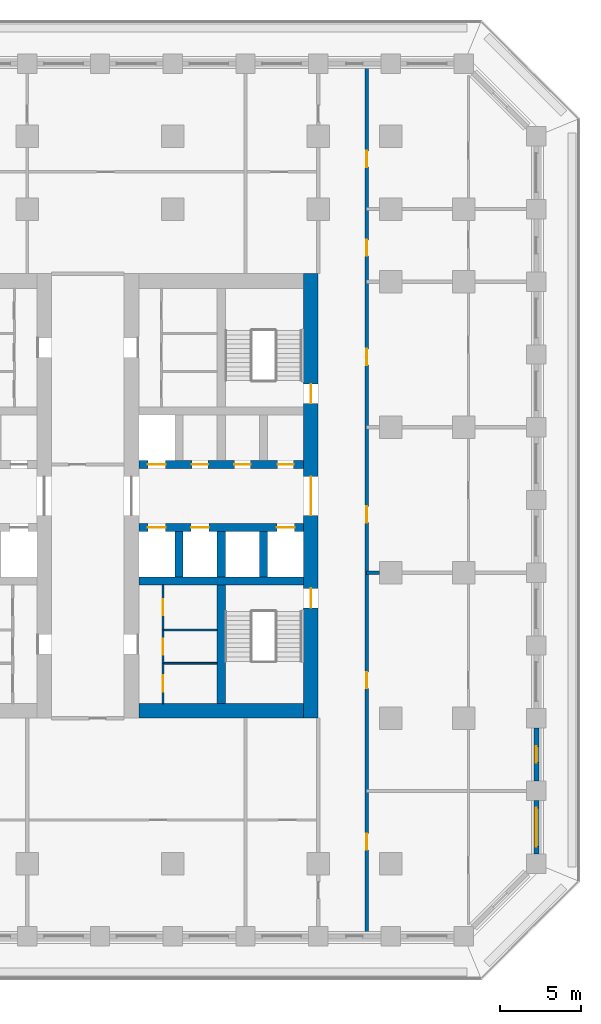
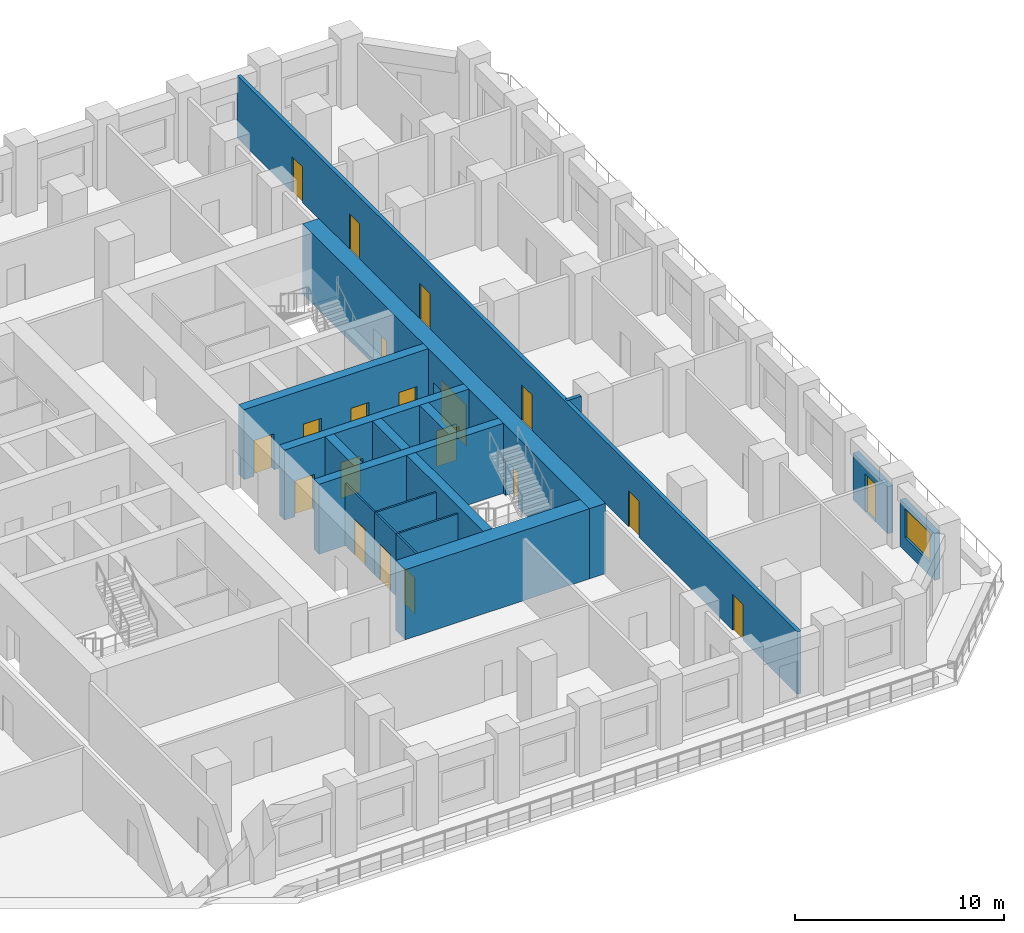
# One storey, part 5 of 17: 20 doors, 18 walls, 1 window, 21 openings.
"""IFC4 building model written with IfcOpenShell, lengths in metres."""

from ifc_helpers import new_model, si_unit, direction, frame, frame_2d, origin, place, context, subcontext, project, spatial, rectangle, extrude, material, layer, layer_set, type_object, element, fill, save


model = new_model("IFC4")

# Units and contexts
model_context = context("Model", 3, precision=1e-05, world=origin(), true_north=direction((0.0, 1.0)))
body_context = subcontext(model_context, "Body", "Model", "MODEL_VIEW")
ifc_project = project(units=[si_unit("LENGTHUNIT", "METRE"), si_unit("AREAUNIT", "SQUARE_METRE"), si_unit("VOLUMEUNIT", "CUBIC_METRE"), si_unit("PLANEANGLEUNIT", "RADIAN"), si_unit("MASSUNIT", "GRAM", prefix="KILO")], contexts=[model_context])

# Site, building, storey
site_placement = place(None, origin())
site = spatial("IfcSite", under=ifc_project, at=site_placement, CompositionType="ELEMENT")
building_placement = place(site_placement, origin())
building = spatial("IfcBuilding", under=site, at=building_placement, Name="Corbel Stack Research Tower", CompositionType="ELEMENT")
storey_placement = place(building_placement, frame((0.0, 0.0, 94.300048828125)))
storey = spatial("IfcBuildingStorey", under=building, at=storey_placement, Name="L21", CompositionType="ELEMENT", Elevation=94.300048828125)

# Wall
ifc_material_1 = material(Name="Concrete C70/85", Category="concrete")
ifc_layer_1 = layer(ifc_material_1, 0.5)
ifc_layer_set_1 = layer_set([ifc_layer_1], Name="Concrete C70/85")
wall_type_1 = type_object("IfcWallType", Name="CW-500-70", PredefinedType="SHEAR", material=ifc_layer_set_1)
wall_1_placement = place(storey_placement, frame((6.89990234375, -0.5, 0.0), z_axis=(0.0, 0.0, 1.0), x_axis=(1.0, 0.0, 0.0)))
element("IfcWall", 1, at=wall_1_placement, inside=storey, type_object=wall_type_1, Name="East core wall, south row back L21", PredefinedType="SHEAR", context=body_context, shape_type="SweptSolid", body=[
    extrude(rectangle(XDim=10.2001953125, YDim=0.5, at=frame_2d((5.10009765625, 0.0))), origin(), (0.0, 0.0, 1.0), 4.099853515625),
])

# Wall, openings, doors
wall_2_placement = place(storey_placement, frame((6.89990234375, 2.800048828125, 0.0), z_axis=(0.0, 0.0, 1.0), x_axis=(1.0, 0.0, 0.0)))
wall_2 = element("IfcWall", 2, at=wall_2_placement, inside=storey, type_object=wall_type_1, Name="East core wall, lobby south L21", PredefinedType="SHEAR", context=body_context, shape_type="SweptSolid", body=[
    extrude(rectangle(XDim=10.2001953125, YDim=0.5, at=frame_2d((5.10009765625, 0.0))), origin(), (0.0, 0.0, 1.0), 4.099853515625),
])
opening_1_placement = place(wall_2_placement, frame((0.5625, 0.0, 0.0)))
opening_1 = element("IfcOpeningElement", 3, at=opening_1_placement, cuts=wall_2, Name="Opening LD-FS2", PredefinedType="OPENING", context=body_context, shape_type="SweptSolid", body=[
    extrude(rectangle(XDim=1.10009765625, YDim=2.10009765625, at=frame_2d((0.550048828125, 1.050048828125))), frame((0.0, 0.260009765625, 0.0), z_axis=(0.0, -1.0, 0.0), x_axis=(1.0, 0.0, 0.0)), (0.0, 0.0, 1.0), 0.52001953125),
])
opening_2_placement = place(wall_2_placement, frame((3.237548828125, 0.0, 0.0)))
opening_2 = element("IfcOpeningElement", 4, at=opening_2_placement, cuts=wall_2, Name="Opening LD-GL2", PredefinedType="OPENING", context=body_context, shape_type="SweptSolid", body=[
    extrude(rectangle(XDim=1.10009765625, YDim=2.10009765625, at=frame_2d((0.550048828125, 1.050048828125))), frame((0.0, 0.260009765625, 0.0), z_axis=(0.0, -1.0, 0.0), x_axis=(1.0, 0.0, 0.0)), (0.0, 0.0, 1.0), 0.52001953125),
])
opening_3_placement = place(wall_2_placement, frame((8.53759765625, 0.0, 0.0)))
opening_3 = element("IfcOpeningElement", 5, at=opening_3_placement, cuts=wall_2, Name="Opening LD-LR3", PredefinedType="OPENING", context=body_context, shape_type="SweptSolid", body=[
    extrude(rectangle(XDim=1.10009765625, YDim=2.10009765625, at=frame_2d((0.550048828125, 1.050048828125))), frame((0.0, 0.260009765625, 0.0), z_axis=(0.0, -1.0, 0.0), x_axis=(1.0, 0.0, 0.0)), (0.0, 0.0, 1.0), 0.52001953125),
])
ifc_material_2 = material(Name="Stainless steel landing door", Category="steel")
door_type_1 = type_object("IfcDoorType", Name="Lift landing door 1100 x 2100", OperationType="DOUBLE_DOOR_SLIDING", PredefinedType="DOOR", material=ifc_material_2)
door_1_placement = place(opening_1_placement, origin())
door_1 = element("IfcDoor", 6, at=door_1_placement, inside=storey, type_object=door_type_1, Name="Landing door FS2", OperationType="DOUBLE_DOOR_SLIDING", OverallHeight=2.10009765625, OverallWidth=1.10009765625, PredefinedType="DOOR", context=body_context, shape_type="SweptSolid", body=[
    extrude(rectangle(XDim=1.10009765625, YDim=2.10009765625, at=frame_2d((0.550048828125, 1.050048828125))), frame((0.0, 0.02490234375, 0.0), z_axis=(0.0, -1.0, 0.0), x_axis=(1.0, 0.0, 0.0)), (0.0, 0.0, 1.0), 0.050048828125),
])
fill(opening_1, door_1)
door_2_placement = place(opening_2_placement, origin())
door_2 = element("IfcDoor", 7, at=door_2_placement, inside=storey, type_object=door_type_1, Name="Landing door GL2", OperationType="DOUBLE_DOOR_SLIDING", OverallHeight=2.10009765625, OverallWidth=1.10009765625, PredefinedType="DOOR", context=body_context, shape_type="SweptSolid", body=[
    extrude(rectangle(XDim=1.10009765625, YDim=2.10009765625, at=frame_2d((0.550048828125, 1.050048828125))), frame((0.0, 0.02490234375, 0.0), z_axis=(0.0, -1.0, 0.0), x_axis=(1.0, 0.0, 0.0)), (0.0, 0.0, 1.0), 0.050048828125),
])
fill(opening_2, door_2)
door_3_placement = place(opening_3_placement, origin())
door_3 = element("IfcDoor", 8, at=door_3_placement, inside=storey, type_object=door_type_1, Name="Landing door LR3", OperationType="DOUBLE_DOOR_SLIDING", OverallHeight=2.10009765625, OverallWidth=1.10009765625, PredefinedType="DOOR", context=body_context, shape_type="SweptSolid", body=[
    extrude(rectangle(XDim=1.10009765625, YDim=2.10009765625, at=frame_2d((0.550048828125, 1.050048828125))), frame((0.0, 0.02490234375, 0.0), z_axis=(0.0, -1.0, 0.0), x_axis=(1.0, 0.0, 0.0)), (0.0, 0.0, 1.0), 0.050048828125),
])
fill(opening_3, door_3)

wall_3_placement = place(storey_placement, frame((6.89990234375, 6.699951171875, 0.0), z_axis=(0.0, 0.0, 1.0), x_axis=(1.0, 0.0, 0.0)))
wall_3 = element("IfcWall", 9, at=wall_3_placement, inside=storey, type_object=wall_type_1, Name="East core wall, lobby north L21", PredefinedType="SHEAR", context=body_context, shape_type="SweptSolid", body=[
    extrude(rectangle(XDim=10.2001953125, YDim=0.5, at=frame_2d((5.10009765625, 0.0))), origin(), (0.0, 0.0, 1.0), 4.099853515625),
])
opening_4_placement = place(wall_3_placement, frame((0.5625, 0.0, 0.0)))
opening_4 = element("IfcOpeningElement", 10, at=opening_4_placement, cuts=wall_3, Name="Opening LD-LR4", PredefinedType="OPENING", context=body_context, shape_type="SweptSolid", body=[
    extrude(rectangle(XDim=1.10009765625, YDim=2.10009765625, at=frame_2d((0.550048828125, 1.050048828125))), frame((0.0, 0.260009765625, 0.0), z_axis=(0.0, -1.0, 0.0), x_axis=(1.0, 0.0, 0.0)), (0.0, 0.0, 1.0), 0.52001953125),
])
opening_5_placement = place(wall_3_placement, frame((3.28759765625, 0.0, 0.0)))
opening_5 = element("IfcOpeningElement", 11, at=opening_5_placement, cuts=wall_3, Name="Opening CR-E12-N2", PredefinedType="OPENING", context=body_context, shape_type="SweptSolid", body=[
    extrude(rectangle(XDim=1.0, YDim=2.10009765625, at=frame_2d((0.5, 1.050048828125))), frame((0.0, 0.260009765625, 0.0), z_axis=(0.0, -1.0, 0.0), x_axis=(1.0, 0.0, 0.0)), (0.0, 0.0, 1.0), 0.52001953125),
])
opening_6_placement = place(wall_3_placement, frame((5.91259765625, 0.0, 0.0)))
opening_6 = element("IfcOpeningElement", 12, at=opening_6_placement, cuts=wall_3, Name="Opening CR-E12-N3", PredefinedType="OPENING", context=body_context, shape_type="SweptSolid", body=[
    extrude(rectangle(XDim=1.0, YDim=2.10009765625, at=frame_2d((0.5, 1.050048828125))), frame((0.0, 0.260009765625, 0.0), z_axis=(0.0, -1.0, 0.0), x_axis=(1.0, 0.0, 0.0)), (0.0, 0.0, 1.0), 0.52001953125),
])
opening_7_placement = place(wall_3_placement, frame((8.58740234375, 0.0, 0.0)))
opening_7 = element("IfcOpeningElement", 13, at=opening_7_placement, cuts=wall_3, Name="Opening CR-E12-N4", PredefinedType="OPENING", context=body_context, shape_type="SweptSolid", body=[
    extrude(rectangle(XDim=1.0, YDim=2.10009765625, at=frame_2d((0.5, 1.050048828125))), frame((0.0, 0.260009765625, 0.0), z_axis=(0.0, -1.0, 0.0), x_axis=(1.0, 0.0, 0.0)), (0.0, 0.0, 1.0), 0.52001953125),
])
door_4_placement = place(opening_4_placement, origin())
door_4 = element("IfcDoor", 14, at=door_4_placement, inside=storey, type_object=door_type_1, Name="Landing door LR4", OperationType="DOUBLE_DOOR_SLIDING", OverallHeight=2.10009765625, OverallWidth=1.10009765625, PredefinedType="DOOR", context=body_context, shape_type="SweptSolid", body=[
    extrude(rectangle(XDim=1.10009765625, YDim=2.10009765625, at=frame_2d((0.550048828125, 1.050048828125))), frame((0.0, 0.02490234375, 0.0), z_axis=(0.0, -1.0, 0.0), x_axis=(1.0, 0.0, 0.0)), (0.0, 0.0, 1.0), 0.050048828125),
])
fill(opening_4, door_4)
ifc_material_3 = material(Name="Painted steel door", Category="steel")
door_type_2 = type_object("IfcDoorType", Name="Service door 1000 x 2100 FD60 left hand", OperationType="SINGLE_SWING_LEFT", PredefinedType="DOOR", material=ifc_material_3)
door_5_placement = place(opening_6_placement, origin())
door_5 = element("IfcDoor", 15, at=door_5_placement, inside=storey, type_object=door_type_2, Name="Laboratory consumables store door E core", OperationType="SINGLE_SWING_LEFT", OverallHeight=2.10009765625, OverallWidth=1.0, PredefinedType="DOOR", context=body_context, shape_type="SweptSolid", body=[
    extrude(rectangle(XDim=1.0, YDim=2.10009765625, at=frame_2d((0.5, 1.050048828125))), frame((0.0, 0.02490234375, 0.0), z_axis=(0.0, -1.0, 0.0), x_axis=(1.0, 0.0, 0.0)), (0.0, 0.0, 1.0), 0.050048828125),
])
fill(opening_6, door_5)
ifc_material_4 = material(Name="Painted steel door", Category="steel")
door_type_3 = type_object("IfcDoorType", Name="Service door 1000 x 2100 FD60 right hand", OperationType="SINGLE_SWING_RIGHT", PredefinedType="DOOR", material=ifc_material_4)
door_6_placement = place(opening_5_placement, origin())
door_6 = element("IfcDoor", 16, at=door_6_placement, inside=storey, type_object=door_type_3, Name="Staff WC door E core", OperationType="SINGLE_SWING_RIGHT", OverallHeight=2.10009765625, OverallWidth=1.0, PredefinedType="DOOR", context=body_context, shape_type="SweptSolid", body=[
    extrude(rectangle(XDim=1.0, YDim=2.10009765625, at=frame_2d((0.5, 1.050048828125))), frame((0.0, 0.02490234375, 0.0), z_axis=(0.0, -1.0, 0.0), x_axis=(1.0, 0.0, 0.0)), (0.0, 0.0, 1.0), 0.050048828125),
])
fill(opening_5, door_6)
door_7_placement = place(opening_7_placement, origin())
door_7 = element("IfcDoor", 17, at=door_7_placement, inside=storey, type_object=door_type_3, Name="Cleaner's store door E core", OperationType="SINGLE_SWING_RIGHT", OverallHeight=2.10009765625, OverallWidth=1.0, PredefinedType="DOOR", context=body_context, shape_type="SweptSolid", body=[
    extrude(rectangle(XDim=1.0, YDim=2.10009765625, at=frame_2d((0.5, 1.050048828125))), frame((0.0, 0.02490234375, 0.0), z_axis=(0.0, -1.0, 0.0), x_axis=(1.0, 0.0, 0.0)), (0.0, 0.0, 1.0), 0.050048828125),
])
fill(opening_7, door_7)

# Walls
for number, where, z_axis, x_axis, name in (
    (18, (9.375, -0.25, 0.0), (0.0, 0.0, 1.0), (0.0, 1.0, 0.0), "East core wall, south shaft 1 L21"),
    (19, (12.0, -0.25, 0.0), (0.0, 0.0, 1.0), (0.0, 1.0, 0.0), "East core wall, south shaft 2 L21"),
    (20, (14.625, -0.25, 0.0), (0.0, 0.0, 1.0), (0.0, 1.0, 0.0), "East core wall, south shaft 3 L21"),
):
    element("IfcWall", number, at=place(storey_placement, frame(where, z_axis=z_axis, x_axis=x_axis)), inside=storey, type_object=wall_type_1, Name=name, PredefinedType="SHEAR", context=body_context, shape_type="SweptSolid", body=[
        extrude(rectangle(XDim=2.800048828125, YDim=0.5, at=frame_2d((1.39990234375, 0.0))), origin(), (0.0, 0.0, 1.0), 4.099853515625),
    ])
wall_4_placement = place(storey_placement, frame((12.0, -8.10009765625, 0.0), z_axis=(0.0, 0.0, 1.0), x_axis=(0.0, 1.0, 0.0)))
element("IfcWall", 21, at=wall_4_placement, inside=storey, type_object=wall_type_1, Name="East core wall, south stair and WC L21", PredefinedType="SHEAR", context=body_context, shape_type="SweptSolid", body=[
    extrude(rectangle(XDim=7.35009765625, YDim=0.5, at=frame_2d((3.675048828125, 0.0))), origin(), (0.0, 0.0, 1.0), 4.099853515625),
])

# Wall, openings, doors
ifc_material_5 = material(Name="Concrete C70/85", Category="concrete")
ifc_layer_2 = layer(ifc_material_5, 0.89990234375)
ifc_layer_set_2 = layer_set([ifc_layer_2], Name="Concrete C70/85")
wall_type_2 = type_object("IfcWallType", Name="CW-900-70", PredefinedType="SHEAR", material=ifc_layer_set_2)
wall_5_placement = place(storey_placement, frame((17.550048828125, -9.0, 0.0), z_axis=(0.0, 0.0, 1.0), x_axis=(0.0, 1.0, 0.0)))
wall_5 = element("IfcWall", 22, at=wall_5_placement, inside=storey, type_object=wall_type_2, Name="East core wall, east face L21", PredefinedType="SHEAR", context=body_context, shape_type="SweptSolid", body=[
    extrude(rectangle(XDim=27.5, YDim=0.89990234375, at=frame_2d((13.75, 0.0))), origin(), (0.0, 0.0, 1.0), 4.099853515625),
])
opening_8_placement = place(wall_5_placement, frame((12.550048828125, 0.0, 0.0)))
opening_8 = element("IfcOpeningElement", 23, at=opening_8_placement, cuts=wall_5, Name="Opening CD-E-E", PredefinedType="OPENING", context=body_context, shape_type="SweptSolid", body=[
    extrude(rectangle(XDim=2.39990234375, YDim=2.39990234375, at=frame_2d((1.199951171875, 1.199951171875))), frame((0.0, 0.4599609375, 0.0), z_axis=(0.0, -1.0, 0.0), x_axis=(1.0, 0.0, 0.0)), (0.0, 0.0, 1.0), 0.919921875),
])
opening_9_placement = place(wall_5_placement, frame((6.824951171875, 0.0, 0.0)))
opening_9 = element("IfcOpeningElement", 24, at=opening_9_placement, cuts=wall_5, Name="Opening SD-ST-E1", PredefinedType="OPENING", context=body_context, shape_type="SweptSolid", body=[
    extrude(rectangle(XDim=1.199951171875, YDim=2.10009765625, at=frame_2d((0.60009765625, 1.050048828125))), frame((0.0, 0.4599609375, 0.0), z_axis=(0.0, -1.0, 0.0), x_axis=(1.0, 0.0, 0.0)), (0.0, 0.0, 1.0), 0.919921875),
])
opening_10_placement = place(wall_5_placement, frame((19.47509765625, 0.0, 0.0)))
opening_10 = element("IfcOpeningElement", 25, at=opening_10_placement, cuts=wall_5, Name="Opening SD-ST-E2", PredefinedType="OPENING", context=body_context, shape_type="SweptSolid", body=[
    extrude(rectangle(XDim=1.199951171875, YDim=2.10009765625, at=frame_2d((0.60009765625, 1.050048828125))), frame((0.0, 0.4599609375, 0.0), z_axis=(0.0, -1.0, 0.0), x_axis=(1.0, 0.0, 0.0)), (0.0, 0.0, 1.0), 0.919921875),
])
ifc_material_6 = material(Name="Painted steel fire door", Category="steel")
door_type_4 = type_object("IfcDoorType", Name="Lobby door pair 2400 x 2400 FD30S", OperationType="DOUBLE_DOOR_DOUBLE_SWING", PredefinedType="DOOR", material=ifc_material_6)
door_8_placement = place(opening_8_placement, origin())
door_8 = element("IfcDoor", 26, at=door_8_placement, inside=storey, type_object=door_type_4, Name="Lift lobby door E core E", OperationType="DOUBLE_DOOR_DOUBLE_SWING", OverallHeight=2.39990234375, OverallWidth=2.39990234375, PredefinedType="DOOR", context=body_context, shape_type="SweptSolid", body=[
    extrude(rectangle(XDim=2.39990234375, YDim=2.39990234375, at=frame_2d((1.199951171875, 1.199951171875))), frame((0.0, 0.02490234375, 0.0), z_axis=(0.0, -1.0, 0.0), x_axis=(1.0, 0.0, 0.0)), (0.0, 0.0, 1.0), 0.050048828125),
])
fill(opening_8, door_8)
ifc_material_7 = material(Name="Painted steel fire door", Category="steel")
door_type_5 = type_object("IfcDoorType", Name="Stair door 1200 x 2100 FD90 right hand", OperationType="SINGLE_SWING_RIGHT", PredefinedType="DOOR", material=ifc_material_7)
door_9_placement = place(opening_9_placement, frame((1.199951171875, 0.0, 0.0), z_axis=(0.0, 0.0, 1.0), x_axis=(-1.0, 0.0, 0.0)))
door_9 = element("IfcDoor", 27, at=door_9_placement, inside=storey, type_object=door_type_5, Name="Stair door ST-E1", OperationType="SINGLE_SWING_LEFT", OverallHeight=2.10009765625, OverallWidth=1.199951171875, PredefinedType="DOOR", context=body_context, shape_type="SweptSolid", body=[
    extrude(rectangle(XDim=1.199951171875, YDim=2.10009765625, at=frame_2d((0.60009765625, 1.050048828125))), frame((0.0, 0.02490234375, 0.0), z_axis=(0.0, -1.0, 0.0), x_axis=(1.0, 0.0, 0.0)), (0.0, 0.0, 1.0), 0.050048828125),
])
fill(opening_9, door_9)
door_10_placement = place(opening_10_placement, frame((1.199951171875, 0.0, 0.0), z_axis=(0.0, 0.0, 1.0), x_axis=(-1.0, 0.0, 0.0)))
door_10 = element("IfcDoor", 28, at=door_10_placement, inside=storey, type_object=door_type_5, Name="Stair door ST-E2", OperationType="SINGLE_SWING_LEFT", OverallHeight=2.10009765625, OverallWidth=1.199951171875, PredefinedType="DOOR", context=body_context, shape_type="SweptSolid", body=[
    extrude(rectangle(XDim=1.199951171875, YDim=2.10009765625, at=frame_2d((0.60009765625, 1.050048828125))), frame((0.0, 0.02490234375, 0.0), z_axis=(0.0, -1.0, 0.0), x_axis=(1.0, 0.0, 0.0)), (0.0, 0.0, 1.0), 0.050048828125),
])
fill(opening_10, door_10)

# Wall
wall_6_placement = place(storey_placement, frame((6.89990234375, -8.550048828125, 0.0), z_axis=(0.0, 0.0, 1.0), x_axis=(1.0, 0.0, 0.0)))
element("IfcWall", 29, at=wall_6_placement, inside=storey, type_object=wall_type_2, Name="East core wall, south end L21", PredefinedType="SHEAR", context=body_context, shape_type="SweptSolid", body=[
    extrude(rectangle(XDim=10.2001953125, YDim=0.89990234375, at=frame_2d((5.10009765625, 0.0))), origin(), (0.0, 0.0, 1.0), 4.099853515625),
])

# Wall, opening, door
ifc_material_8 = material(Name="Gypsum board")
ifc_layer_3 = layer(ifc_material_8, 0.10009765625)
ifc_layer_set_3 = layer_set([ifc_layer_3], Name="Gypsum board")
wall_type_3 = type_object("IfcWallType", Name="Core partition 100", PredefinedType="PARTITIONING", material=ifc_layer_set_3)
wall_7_placement = place(storey_placement, frame((8.39990234375, -8.10009765625, 0.0), z_axis=(0.0, 0.0, 1.0), x_axis=(0.0, 1.0, 0.0)))
wall_7 = element("IfcWall", 30, at=wall_7_placement, inside=storey, type_object=wall_type_3, Name="Core partition E", PredefinedType="PARTITIONING", context=body_context, shape_type="SweptSolid", body=[
    extrude(rectangle(XDim=2.4990234375, YDim=0.10009765625, at=frame_2d((1.24951171875, 0.0))), origin(), (0.0, 0.0, 1.0), 3.64990234375),
])
opening_11_placement = place(wall_7_placement, frame((0.74951171875, 0.0, 0.0)))
opening_11 = element("IfcOpeningElement", 31, at=opening_11_placement, cuts=wall_7, Name="Opening CR-E12-W2-1000", PredefinedType="OPENING", context=body_context, shape_type="SweptSolid", body=[
    extrude(rectangle(XDim=1.0, YDim=2.10009765625, at=frame_2d((0.5, 1.050048828125))), frame((0.0, 0.06005859375, 0.0), z_axis=(0.0, -1.0, 0.0), x_axis=(1.0, 0.0, 0.0)), (0.0, 0.0, 1.0), 0.1201171875),
])
ifc_material_9 = material(Name="Painted timber door", Category="wood")
door_type_6 = type_object("IfcDoorType", Name="WC door 1000 x 2100 left hand", OperationType="SINGLE_SWING_LEFT", PredefinedType="DOOR", material=ifc_material_9)
door_11_placement = place(opening_11_placement, origin())
door_11 = element("IfcDoor", 32, at=door_11_placement, inside=storey, type_object=door_type_6, Name="Men's WC door E core", OperationType="SINGLE_SWING_LEFT", OverallHeight=2.10009765625, OverallWidth=1.0, PredefinedType="DOOR", context=body_context, shape_type="SweptSolid", body=[
    extrude(rectangle(XDim=1.0, YDim=2.10009765625, at=frame_2d((0.5, 1.050048828125))), frame((0.0, 0.02490234375, 0.0), z_axis=(0.0, -1.0, 0.0), x_axis=(1.0, 0.0, 0.0)), (0.0, 0.0, 1.0), 0.050048828125),
])
fill(opening_11, door_11)

wall_8_placement = place(storey_placement, frame((8.39990234375, -5.60107421875, 0.0), z_axis=(0.0, 0.0, 1.0), x_axis=(0.0, 1.0, 0.0)))
wall_8 = element("IfcWall", 33, at=wall_8_placement, inside=storey, type_object=wall_type_3, Name="Core partition E", PredefinedType="PARTITIONING", context=body_context, shape_type="SweptSolid", body=[
    extrude(rectangle(XDim=2.05810546875, YDim=0.10009765625, at=frame_2d((1.029052734375, 0.0))), origin(), (0.0, 0.0, 1.0), 3.64990234375),
])
opening_12_placement = place(wall_8_placement, frame((0.529052734375, 0.0, 0.0)))
opening_12 = element("IfcOpeningElement", 34, at=opening_12_placement, cuts=wall_8, Name="Opening CR-E12-W3-1000", PredefinedType="OPENING", context=body_context, shape_type="SweptSolid", body=[
    extrude(rectangle(XDim=1.0, YDim=2.10009765625, at=frame_2d((0.5, 1.050048828125))), frame((0.0, 0.06005859375, 0.0), z_axis=(0.0, -1.0, 0.0), x_axis=(1.0, 0.0, 0.0)), (0.0, 0.0, 1.0), 0.1201171875),
])
ifc_material_10 = material(Name="Painted timber door", Category="wood")
door_type_7 = type_object("IfcDoorType", Name="WC door 1000 x 2100 right hand", OperationType="SINGLE_SWING_RIGHT", PredefinedType="DOOR", material=ifc_material_10)
door_12_placement = place(opening_12_placement, origin())
door_12 = element("IfcDoor", 35, at=door_12_placement, inside=storey, type_object=door_type_7, Name="Accessible WC door E core", OperationType="SINGLE_SWING_RIGHT", OverallHeight=2.10009765625, OverallWidth=1.0, PredefinedType="DOOR", context=body_context, shape_type="SweptSolid", body=[
    extrude(rectangle(XDim=1.0, YDim=2.10009765625, at=frame_2d((0.5, 1.050048828125))), frame((0.0, 0.02490234375, 0.0), z_axis=(0.0, -1.0, 0.0), x_axis=(1.0, 0.0, 0.0)), (0.0, 0.0, 1.0), 0.050048828125),
])
fill(opening_12, door_12)

wall_9_placement = place(storey_placement, frame((8.39990234375, -3.54296875, 0.0), z_axis=(0.0, 0.0, 1.0), x_axis=(0.0, 1.0, 0.0)))
wall_9 = element("IfcWall", 36, at=wall_9_placement, inside=storey, type_object=wall_type_3, Name="Core partition E", PredefinedType="PARTITIONING", context=body_context, shape_type="SweptSolid", body=[
    extrude(rectangle(XDim=2.79296875, YDim=0.10009765625, at=frame_2d((1.396484375, 0.0))), origin(), (0.0, 0.0, 1.0), 3.64990234375),
])
opening_13_placement = place(wall_9_placement, frame((0.896484375, 0.0, 0.0)))
opening_13 = element("IfcOpeningElement", 37, at=opening_13_placement, cuts=wall_9, Name="Opening CR-E12-W4-1000", PredefinedType="OPENING", context=body_context, shape_type="SweptSolid", body=[
    extrude(rectangle(XDim=1.0, YDim=2.10009765625, at=frame_2d((0.5, 1.050048828125))), frame((0.0, 0.06005859375, 0.0), z_axis=(0.0, -1.0, 0.0), x_axis=(1.0, 0.0, 0.0)), (0.0, 0.0, 1.0), 0.1201171875),
])
door_13_placement = place(opening_13_placement, origin())
door_13 = element("IfcDoor", 38, at=door_13_placement, inside=storey, type_object=door_type_6, Name="Women's WC door E core", OperationType="SINGLE_SWING_LEFT", OverallHeight=2.10009765625, OverallWidth=1.0, PredefinedType="DOOR", context=body_context, shape_type="SweptSolid", body=[
    extrude(rectangle(XDim=1.0, YDim=2.10009765625, at=frame_2d((0.5, 1.050048828125))), frame((0.0, 0.02490234375, 0.0), z_axis=(0.0, -1.0, 0.0), x_axis=(1.0, 0.0, 0.0)), (0.0, 0.0, 1.0), 0.050048828125),
])
fill(opening_13, door_13)

# Walls
for number, where, z_axis, x_axis, name in (
    (39, (8.39990234375, -5.60107421875, 0.0), (0.0, 0.0, 1.0), (1.0, 0.0, 0.0), "Core partition E"),
    (40, (8.39990234375, -3.54296875, 0.0), (0.0, 0.0, 1.0), (1.0, 0.0, 0.0), "Core partition E"),
):
    element("IfcWall", number, at=place(storey_placement, frame(where, z_axis=z_axis, x_axis=x_axis)), inside=storey, type_object=wall_type_3, Name=name, PredefinedType="PARTITIONING", context=body_context, shape_type="SweptSolid", body=[
        extrude(rectangle(XDim=3.35009765625, YDim=0.10009765625, at=frame_2d((1.675048828125, 0.0))), origin(), (0.0, 0.0, 1.0), 3.64990234375),
    ])

# Wall, openings, doors
ifc_material_11 = material(Name="Fire-rated gypsum board partition on steel studs", Category="steel")
ifc_layer_4 = layer(ifc_material_11, 0.199951171875)
ifc_layer_set_4 = layer_set([ifc_layer_4], Name="Fire-rated gypsum board partition on steel studs")
wall_type_4 = type_object("IfcWallType", Name="Fire-rated partition 200 EI 60", PredefinedType="PARTITIONING", material=ifc_layer_set_4)
wall_10_placement = place(storey_placement, frame((21.0, 31.35009765625, 0.0), z_axis=(0.0, 0.0, 1.0), x_axis=(0.0, -1.0, 0.0)))
wall_10 = element("IfcWall", 41, at=wall_10_placement, inside=storey, type_object=wall_type_4, Name="Partition L21-016", PredefinedType="PARTITIONING", context=body_context, shape_type="SweptSolid", body=[
    extrude(rectangle(XDim=53.7001953125, YDim=0.199951171875, at=frame_2d((26.85009765625, 0.0))), origin(), (0.0, 0.0, 1.0), 3.64990234375),
])
opening_14_placement = place(wall_10_placement, frame((47.5, 0.0, 0.0)))
opening_14 = element("IfcOpeningElement", 42, at=opening_14_placement, cuts=wall_10, Name="Opening B3V1-017", PredefinedType="OPENING", context=body_context, shape_type="SweptSolid", body=[
    extrude(rectangle(XDim=1.0, YDim=2.10009765625, at=frame_2d((0.5, 1.050048828125))), frame((0.0, 0.10986328125, 0.0), z_axis=(0.0, -1.0, 0.0), x_axis=(1.0, 0.0, 0.0)), (0.0, 0.0, 1.0), 0.219970703125),
])
opening_15_placement = place(wall_10_placement, frame((37.5, 0.0, 0.0)))
opening_15 = element("IfcOpeningElement", 43, at=opening_15_placement, cuts=wall_10, Name="Opening B3V1-018", PredefinedType="OPENING", context=body_context, shape_type="SweptSolid", body=[
    extrude(rectangle(XDim=1.0, YDim=2.10009765625, at=frame_2d((0.5, 1.050048828125))), frame((0.0, 0.10986328125, 0.0), z_axis=(0.0, -1.0, 0.0), x_axis=(1.0, 0.0, 0.0)), (0.0, 0.0, 1.0), 0.219970703125),
])
opening_16_placement = place(wall_10_placement, frame((27.25, 0.0, 0.0)))
opening_16 = element("IfcOpeningElement", 44, at=opening_16_placement, cuts=wall_10, Name="Opening B3V1-019", PredefinedType="OPENING", context=body_context, shape_type="SweptSolid", body=[
    extrude(rectangle(XDim=1.0, YDim=2.10009765625, at=frame_2d((0.5, 1.050048828125))), frame((0.0, 0.10986328125, 0.0), z_axis=(0.0, -1.0, 0.0), x_axis=(1.0, 0.0, 0.0)), (0.0, 0.0, 1.0), 0.219970703125),
])
opening_17_placement = place(wall_10_placement, frame((17.5, 0.0, 0.0)))
opening_17 = element("IfcOpeningElement", 45, at=opening_17_placement, cuts=wall_10, Name="Opening B3V1-020", PredefinedType="OPENING", context=body_context, shape_type="SweptSolid", body=[
    extrude(rectangle(XDim=1.0, YDim=2.10009765625, at=frame_2d((0.5, 1.050048828125))), frame((0.0, 0.10986328125, 0.0), z_axis=(0.0, -1.0, 0.0), x_axis=(1.0, 0.0, 0.0)), (0.0, 0.0, 1.0), 0.219970703125),
])
opening_18_placement = place(wall_10_placement, frame((10.75, 0.0, 0.0)))
opening_18 = element("IfcOpeningElement", 46, at=opening_18_placement, cuts=wall_10, Name="Opening B3V1-021", PredefinedType="OPENING", context=body_context, shape_type="SweptSolid", body=[
    extrude(rectangle(XDim=1.0, YDim=2.10009765625, at=frame_2d((0.5, 1.050048828125))), frame((0.0, 0.10986328125, 0.0), z_axis=(0.0, -1.0, 0.0), x_axis=(1.0, 0.0, 0.0)), (0.0, 0.0, 1.0), 0.219970703125),
])
opening_19_placement = place(wall_10_placement, frame((5.25, 0.0, 0.0)))
opening_19 = element("IfcOpeningElement", 47, at=opening_19_placement, cuts=wall_10, Name="Opening B3V1-022", PredefinedType="OPENING", context=body_context, shape_type="SweptSolid", body=[
    extrude(rectangle(XDim=1.0, YDim=2.10009765625, at=frame_2d((0.5, 1.050048828125))), frame((0.0, 0.10986328125, 0.0), z_axis=(0.0, -1.0, 0.0), x_axis=(1.0, 0.0, 0.0)), (0.0, 0.0, 1.0), 0.219970703125),
])
ifc_material_12 = material(Name="Painted steel fire door", Category="steel")
door_type_8 = type_object("IfcDoorType", Name="Fire door FD30S 1000 x 2100", OperationType="NOTDEFINED", PredefinedType="DOOR", material=ifc_material_12)
door_14_placement = place(opening_14_placement, origin())
door_14 = element("IfcDoor", 48, at=door_14_placement, inside=storey, type_object=door_type_8, Name="Door B3V1-017", OperationType="SINGLE_SWING_RIGHT", OverallHeight=2.10009765625, OverallWidth=1.0, PredefinedType="DOOR", context=body_context, shape_type="SweptSolid", body=[
    extrude(rectangle(XDim=1.0, YDim=2.10009765625, at=frame_2d((0.5, 1.050048828125))), frame((0.0, 0.02490234375, 0.0), z_axis=(0.0, -1.0, 0.0), x_axis=(1.0, 0.0, 0.0)), (0.0, 0.0, 1.0), 0.050048828125),
])
fill(opening_14, door_14)
door_15_placement = place(opening_15_placement, origin())
door_15 = element("IfcDoor", 49, at=door_15_placement, inside=storey, type_object=door_type_8, Name="Door B3V1-018", OperationType="SINGLE_SWING_RIGHT", OverallHeight=2.10009765625, OverallWidth=1.0, PredefinedType="DOOR", context=body_context, shape_type="SweptSolid", body=[
    extrude(rectangle(XDim=1.0, YDim=2.10009765625, at=frame_2d((0.5, 1.050048828125))), frame((0.0, 0.02490234375, 0.0), z_axis=(0.0, -1.0, 0.0), x_axis=(1.0, 0.0, 0.0)), (0.0, 0.0, 1.0), 0.050048828125),
])
fill(opening_15, door_15)
door_16_placement = place(opening_16_placement, origin())
door_16 = element("IfcDoor", 50, at=door_16_placement, inside=storey, type_object=door_type_8, Name="Door B3V1-019", OperationType="SINGLE_SWING_RIGHT", OverallHeight=2.10009765625, OverallWidth=1.0, PredefinedType="DOOR", context=body_context, shape_type="SweptSolid", body=[
    extrude(rectangle(XDim=1.0, YDim=2.10009765625, at=frame_2d((0.5, 1.050048828125))), frame((0.0, 0.02490234375, 0.0), z_axis=(0.0, -1.0, 0.0), x_axis=(1.0, 0.0, 0.0)), (0.0, 0.0, 1.0), 0.050048828125),
])
fill(opening_16, door_16)
door_17_placement = place(opening_17_placement, origin())
door_17 = element("IfcDoor", 51, at=door_17_placement, inside=storey, type_object=door_type_8, Name="Door B3V1-020", OperationType="SINGLE_SWING_LEFT", OverallHeight=2.10009765625, OverallWidth=1.0, PredefinedType="DOOR", context=body_context, shape_type="SweptSolid", body=[
    extrude(rectangle(XDim=1.0, YDim=2.10009765625, at=frame_2d((0.5, 1.050048828125))), frame((0.0, 0.02490234375, 0.0), z_axis=(0.0, -1.0, 0.0), x_axis=(1.0, 0.0, 0.0)), (0.0, 0.0, 1.0), 0.050048828125),
])
fill(opening_17, door_17)
door_18_placement = place(opening_18_placement, origin())
door_18 = element("IfcDoor", 52, at=door_18_placement, inside=storey, type_object=door_type_8, Name="Door B3V1-021", OperationType="SINGLE_SWING_LEFT", OverallHeight=2.10009765625, OverallWidth=1.0, PredefinedType="DOOR", context=body_context, shape_type="SweptSolid", body=[
    extrude(rectangle(XDim=1.0, YDim=2.10009765625, at=frame_2d((0.5, 1.050048828125))), frame((0.0, 0.02490234375, 0.0), z_axis=(0.0, -1.0, 0.0), x_axis=(1.0, 0.0, 0.0)), (0.0, 0.0, 1.0), 0.050048828125),
])
fill(opening_18, door_18)
door_19_placement = place(opening_19_placement, origin())
door_19 = element("IfcDoor", 53, at=door_19_placement, inside=storey, type_object=door_type_8, Name="Door B3V1-022", OperationType="SINGLE_SWING_LEFT", OverallHeight=2.10009765625, OverallWidth=1.0, PredefinedType="DOOR", context=body_context, shape_type="SweptSolid", body=[
    extrude(rectangle(XDim=1.0, YDim=2.10009765625, at=frame_2d((0.5, 1.050048828125))), frame((0.0, 0.02490234375, 0.0), z_axis=(0.0, -1.0, 0.0), x_axis=(1.0, 0.0, 0.0)), (0.0, 0.0, 1.0), 0.050048828125),
])
fill(opening_19, door_19)

# Wall
wall_11_placement = place(storey_placement, frame((21.0, 0.0, 0.0), z_axis=(0.0, 0.0, 1.0), x_axis=(1.0, 0.0, 0.0)))
element("IfcWall", 54, at=wall_11_placement, inside=storey, type_object=wall_type_4, Name="Partition L21-029", PredefinedType="PARTITIONING", context=body_context, shape_type="SweptSolid", body=[
    extrude(rectangle(XDim=0.800048828125, YDim=0.199951171875, at=frame_2d((0.39990234375, 0.0))), origin(), (0.0, 0.0, 1.0), 3.64990234375),
])

# Wall, opening, window
ifc_material_13 = material(Name="Concrete C45/55", Category="concrete")
ifc_layer_5 = layer(ifc_material_13, 0.300048828125)
ifc_layer_set_5 = layer_set([ifc_layer_5], Name="Concrete C45/55")
wall_type_5 = type_object("IfcWallType", Name="Terracotta-faced concrete wall 300", PredefinedType="SOLIDWALL", material=ifc_layer_set_5)
wall_12_placement = place(storey_placement, frame((31.5, -14.10009765625, 0.0), z_axis=(0.0, 0.0, 1.0), x_axis=(0.0, -1.0, 0.0)))
wall_12 = element("IfcWall", 55, at=wall_12_placement, inside=storey, type_object=wall_type_5, Name="Facade wall L21 E01", PredefinedType="SOLIDWALL", context=body_context, shape_type="SweptSolid", body=[
    extrude(rectangle(XDim=3.2998046875, YDim=0.300048828125, at=frame_2d((1.64990234375, 0.0))), origin(), (0.0, 0.0, 1.0), 2.75),
])
opening_20_placement = place(wall_12_placement, frame((0.449951171875, 0.0, 0.800048828125)))
opening_20 = element("IfcOpeningElement", 56, at=opening_20_placement, cuts=wall_12, Name="Opening W1", PredefinedType="OPENING", context=body_context, shape_type="SweptSolid", body=[
    extrude(rectangle(XDim=2.39990234375, YDim=1.699951171875, at=frame_2d((1.199951171875, 0.85009765625))), frame((0.0, 0.159912109375, 0.0), z_axis=(0.0, -1.0, 0.0), x_axis=(1.0, 0.0, 0.0)), (0.0, 0.0, 1.0), 0.320068359375),
])
ifc_material_14 = material(Name="Aluminium frame, clear double glazing", Category="aluminium")
window_type = type_object("IfcWindowType", Name="Window W1 2400 x 1700", PartitioningType="SINGLE_PANEL", PredefinedType="WINDOW", material=ifc_material_14)
window_placement = place(opening_20_placement, origin())
window = element("IfcWindow", 57, at=window_placement, inside=storey, type_object=window_type, Name="Window W1 L21 E01", OverallHeight=1.699951171875, OverallWidth=2.39990234375, PartitioningType="SINGLE_PANEL", PredefinedType="WINDOW", context=body_context, shape_type="SweptSolid", body=[
    extrude(rectangle(XDim=2.39990234375, YDim=1.699951171875, at=frame_2d((1.199951171875, 0.85009765625))), frame((0.0, 0.030029296875, 0.0), z_axis=(0.0, -1.0, 0.0), x_axis=(1.0, 0.0, 0.0)), (0.0, 0.0, 1.0), 0.06005859375),
])
fill(opening_20, window)

# Wall, opening, door
wall_13_placement = place(storey_placement, frame((31.5, -9.60009765625, 0.0), z_axis=(0.0, 0.0, 1.0), x_axis=(0.0, -1.0, 0.0)))
wall_13 = element("IfcWall", 58, at=wall_13_placement, inside=storey, type_object=wall_type_5, Name="Facade wall L21 E02", PredefinedType="SOLIDWALL", context=body_context, shape_type="SweptSolid", body=[
    extrude(rectangle(XDim=3.2998046875, YDim=0.300048828125, at=frame_2d((1.64990234375, 0.0))), origin(), (0.0, 0.0, 1.0), 2.75),
])
opening_21_placement = place(wall_13_placement, frame((1.14990234375, 0.0, 0.0)))
opening_21 = element("IfcOpeningElement", 59, at=opening_21_placement, cuts=wall_13, Name="Opening L21-B04", PredefinedType="OPENING", context=body_context, shape_type="SweptSolid", body=[
    extrude(rectangle(XDim=1.0, YDim=2.199951171875, at=frame_2d((0.5, 1.10009765625))), frame((0.0, 0.159912109375, 0.0), z_axis=(0.0, -1.0, 0.0), x_axis=(1.0, 0.0, 0.0)), (0.0, 0.0, 1.0), 0.320068359375),
])
ifc_material_15 = material(Name="Aluminium frame, clear double glazing", Category="aluminium")
door_type_9 = type_object("IfcDoorType", Name="Balcony door BD1 1000 x 2200", OperationType="NOTDEFINED", PredefinedType="DOOR", material=ifc_material_15)
door_20_placement = place(opening_21_placement, origin())
door_20 = element("IfcDoor", 60, at=door_20_placement, inside=storey, type_object=door_type_9, Name="Balcony door L21-B04", OperationType="SINGLE_SWING_LEFT", OverallHeight=2.199951171875, OverallWidth=1.0, PredefinedType="DOOR", context=body_context, shape_type="SweptSolid", body=[
    extrude(rectangle(XDim=1.0, YDim=2.199951171875, at=frame_2d((0.5, 1.10009765625))), frame((0.0, 0.02490234375, 0.0), z_axis=(0.0, -1.0, 0.0), x_axis=(1.0, 0.0, 0.0)), (0.0, 0.0, 1.0), 0.050048828125),
])
fill(opening_21, door_20)

save(model, "model.ifc")
